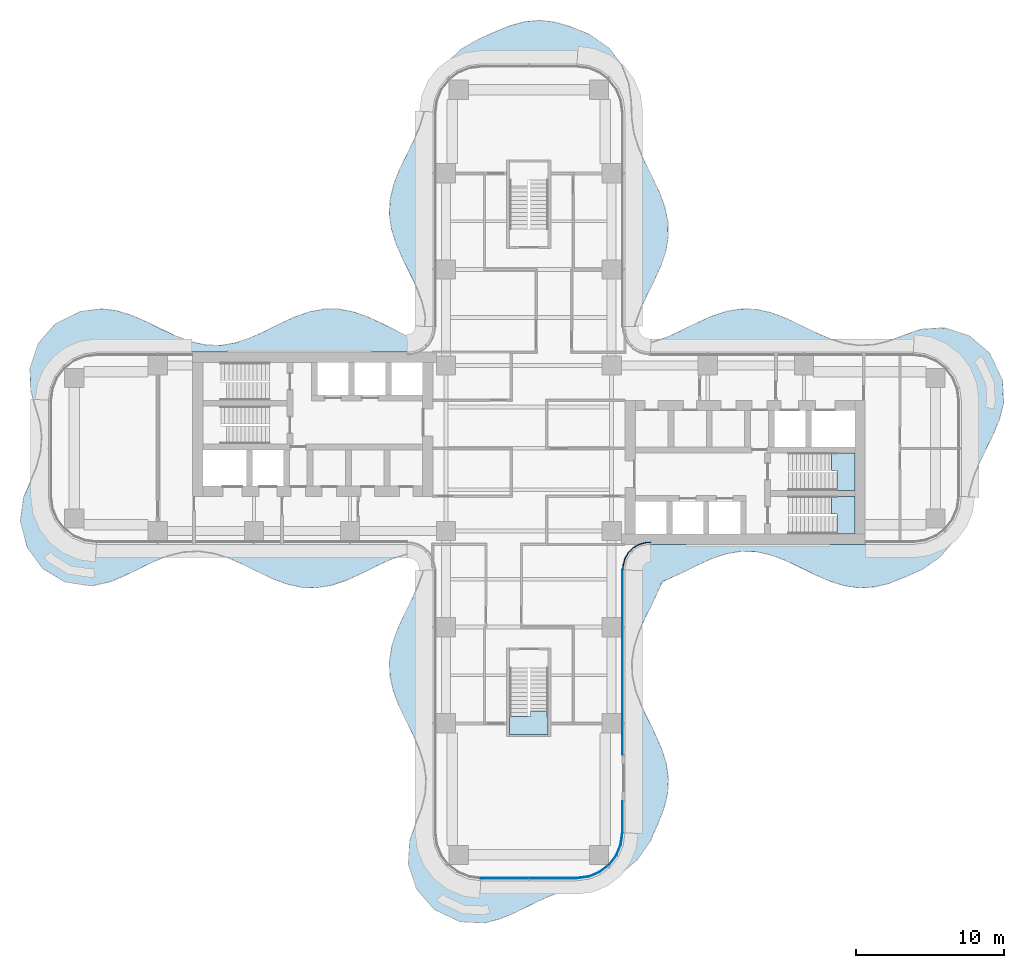
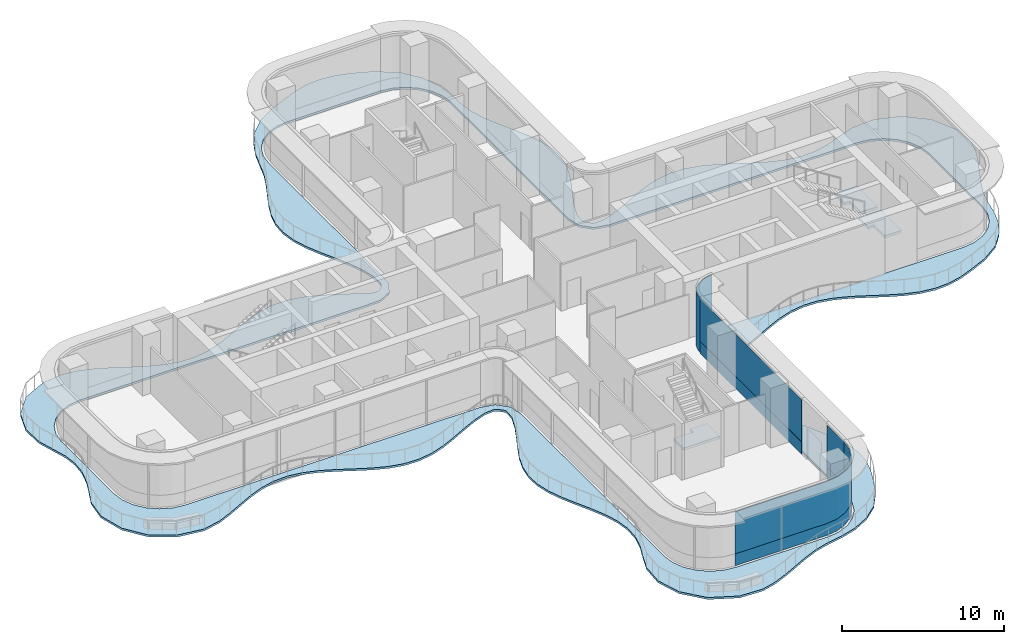
# One storey, part 14 of 21: 7 plates, 4 slabs, 7 elements without a shape of their own.
"""IFC4 building model written with IfcOpenShell, lengths in metres."""

from ifc_helpers import new_model, si_unit, direction, frame, origin, place, context, subcontext, project, spatial, polyline, outline, extrude, source, transform, mapped, material, layer, layer_set, type_object, element, aggregate, save


model = new_model("IFC4")

# Units and contexts
model_context = context("Model", 3, precision=1e-05, world=origin(), true_north=direction((0.0, 1.0)))
body_context = subcontext(model_context, "Body", "Model", "MODEL_VIEW")
ifc_project = project(units=[si_unit("LENGTHUNIT", "METRE"), si_unit("AREAUNIT", "SQUARE_METRE"), si_unit("VOLUMEUNIT", "CUBIC_METRE"), si_unit("PLANEANGLEUNIT", "RADIAN"), si_unit("MASSUNIT", "GRAM", prefix="KILO")], contexts=[model_context])

# Site, building, storey
site_placement = place(None, origin())
site = spatial("IfcSite", under=ifc_project, at=site_placement, CompositionType="ELEMENT")
building_placement = place(site_placement, origin())
building = spatial("IfcBuilding", under=site, at=building_placement, Name="Trellis Farm Tower", CompositionType="ELEMENT")
storey_placement = place(building_placement, frame((0.0, 0.0, 106.5)))
storey = spatial("IfcBuildingStorey", under=building, at=storey_placement, Name="L22", CompositionType="ELEMENT", Elevation=106.5)

# Slab
ifc_material_1 = material(Name="Concrete C40/50", Category="concrete")
ifc_layer_1 = layer(ifc_material_1, 0.14990234375)
ifc_layer_set_1 = layer_set([ifc_layer_1], Name="Balcony slab 150")
slab_type_1 = type_object("IfcSlabType", Name="Balcony slab 150", PredefinedType="FLOOR", material=ifc_layer_set_1)
slab_1_placement = place(storey_placement, frame((0.0, 0.0, -0.14990234375)))
element("IfcSlab", 1, at=slab_1_placement, inside=storey, type_object=slab_type_1, Name="Balcony slab", PredefinedType="FLOOR", context=body_context, shape_type="SweptSolid", body=[
    extrude(outline(polyline([(-22.3232421875, -6.959716796875), (-23.373291015625, -7.018310546875), (-23.38720703125, -7.0205078125), (-24.365478515625, -7.2626953125), (-24.375, -7.265869140625), (-25.3330078125, -7.642578125), (-25.338134765625, -7.64501953125), (-27.33837890625, -8.6162109375), (-27.34521484375, -8.619384765625), (-28.31689453125, -9.033203125), (-28.34375, -9.041748046875), (-29.543212890625, -9.3046875), (-29.5703125, -9.307861328125), (-29.605224609375, -9.30908203125), (-29.63232421875, -9.3076171875), (-31.331787109375, -9.0537109375), (-31.36083984375, -9.04638671875), (-31.3974609375, -9.033203125), (-31.424560546875, -9.02001953125), (-32.890625, -8.122314453125), (-32.914306640625, -8.1044921875), (-32.942626953125, -8.078125), (-32.96240234375, -8.055908203125), (-33.9140625, -6.732421875), (-33.927978515625, -6.70849609375), (-33.943115234375, -6.67626953125), (-33.952392578125, -6.650390625), (-34.389404296875, -4.9814453125), (-34.39404296875, -4.952880859375), (-34.396240234375, -4.916015625), (-34.395263671875, -4.886474609375), (-34.189208984375, -3.359375), (-34.17822265625, -3.319580078125), (-33.715087890625, -2.2548828125), (-33.714599609375, -2.25341796875), (-33.31396484375, -1.276611328125), (-33.310791015625, -1.267333984375), (-33.0341796875, -0.227783203125), (-33.031982421875, -0.21435546875), (-32.954833984375, 0.774169921875), (-32.955078125, 0.788330078125), (-33.058837890625, 1.709716796875), (-33.061279296875, 1.722412109375), (-33.6923828125, 3.866943359375), (-33.698486328125, 3.904296875), (-33.74755859375, 5.389404296875), (-33.74609375, 5.416015625), (-33.7412109375, 5.449462890625), (-33.735107421875, 5.47509765625), (-33.2236328125, 7.014892578125), (-33.211669921875, 7.041748046875), (-33.19287109375, 7.074951171875), (-33.17578125, 7.09912109375), (-32.039794921875, 8.408935546875), (-32.017333984375, 8.429931640625), (-31.986083984375, 8.453857421875), (-31.960205078125, 8.4697265625), (-30.33203125, 9.253662109375), (-30.285400390625, 9.267333984375), (-28.891357421875, 9.4404296875), (-28.85302734375, 9.440185546875), (-27.877685546875, 9.30908203125), (-27.852783203125, 9.3037109375), (-26.868408203125, 8.99658203125), (-26.852783203125, 8.99072265625), (-25.851806640625, 8.5517578125), (-25.845458984375, 8.548828125), (-24.850830078125, 8.056396484375), (-24.849609375, 8.055908203125), (-23.84326171875, 7.58154296875), (-23.83740234375, 7.5791015625), (-22.835205078125, 7.20654296875), (-22.82470703125, 7.20361328125), (-21.829345703125, 6.99169921875), (-21.8154296875, 6.989990234375), (-20.829833984375, 6.968505859375), (-20.8154296875, 6.969482421875), (-19.836181640625, 7.137451171875), (-19.824951171875, 7.140380859375), (-18.84521484375, 7.47119140625), (-18.83837890625, 7.47412109375), (-17.865478515625, 7.913818359375), (-17.863037109375, 7.914794921875), (-16.85888671875, 8.4130859375), (-16.855224609375, 8.4150390625), (-15.85888671875, 8.87548828125), (-15.845947265625, 8.880859375), (-14.858642578125, 9.23046875), (-14.83642578125, 9.236572265625), (-13.85888671875, 9.42236328125), (-13.83056640625, 9.425048828125), (-12.860107421875, 9.422119140625), (-12.831787109375, 9.419189453125), (-11.86181640625, 9.2294921875), (-11.840087890625, 9.2236328125), (-10.863037109375, 8.874755859375), (-10.8505859375, 8.86962890625), (-9.864501953125, 8.412841796875), (-9.860595703125, 8.4111328125), (-8.869140625, 7.918701171875), (-8.86572265625, 7.9169921875), (-8.122802734375, 7.52490234375), (-8.108642578125, 7.519287109375), (-7.98779296875, 7.484130859375), (-7.972900390625, 7.4814453125), (-7.62646484375, 7.453857421875), (-7.609130859375, 7.45458984375), (-7.4755859375, 7.47509765625), (-7.44384765625, 7.488037109375), (-7.333740234375, 7.56640625), (-7.32080078125, 7.578125), (-7.09130859375, 7.840576171875), (-7.07763671875, 7.86328125), (-7.000732421875, 8.066162109375), (-6.995849609375, 8.0927734375), (-6.99951171875, 8.885498046875), (-7.001220703125, 8.9013671875), (-7.2177734375, 9.873046875), (-7.220703125, 9.883056640625), (-7.5791015625, 10.83740234375), (-7.58154296875, 10.843017578125), (-8.055908203125, 11.849609375), (-8.056396484375, 11.850830078125), (-8.548828125, 12.845703125), (-8.5517578125, 12.851806640625), (-8.984130859375, 13.835205078125), (-8.989990234375, 13.850341796875), (-9.29736328125, 14.82470703125), (-9.302978515625, 14.849365234375), (-9.4423828125, 15.852294921875), (-9.443603515625, 15.8818359375), (-9.3857421875, 16.85107421875), (-9.3818359375, 16.8779296875), (-9.142822265625, 17.849609375), (-9.13671875, 17.86865234375), (-8.7509765625, 18.847900390625), (-8.74609375, 18.8583984375), (-7.784912109375, 20.835693359375), (-7.783447265625, 20.839111328125), (-7.364501953125, 21.822509765625), (-7.36181640625, 21.830078125), (-6.7138671875, 23.980712890625), (-6.706787109375, 23.99951171875), (-6.24560546875, 25.015869140625), (-6.2353515625, 25.034912109375), (-5.623291015625, 25.987548828125), (-5.601806640625, 26.013916015625), (-4.615478515625, 26.977783203125), (-4.584716796875, 27.001220703125), (-3.37548828125, 27.688232421875), (-3.362060546875, 27.695068359375), (-2.2548828125, 28.184814453125), (-2.2509765625, 28.186279296875), (-1.2705078125, 28.588623046875), (-1.252685546875, 28.5947265625), (-0.2802734375, 28.857421875), (-0.254150390625, 28.86181640625), (0.715087890625, 28.94677734375), (0.744384765625, 28.9462890625), (1.718017578125, 28.840087890625), (1.74365234375, 28.835205078125), (2.745849609375, 28.544189453125), (2.760009765625, 28.539306640625), (4.017333984375, 28.032958984375), (4.046142578125, 28.017578125), (5.37060546875, 27.110595703125), (5.405029296875, 27.078125), (6.2705078125, 25.948974609375), (6.291748046875, 25.910400390625), (6.759033203125, 24.667724609375), (6.767578125, 24.634521484375), (6.9248046875, 23.438232421875), (6.926025390625, 23.4228515625), (6.957275390625, 22.33447265625), (6.9580078125, 22.325927734375), (7.102294921875, 21.3291015625), (7.10498046875, 21.317138671875), (7.415283203125, 20.337890625), (7.418212890625, 20.330078125), (7.8505859375, 19.3466796875), (7.85205078125, 19.343505859375), (8.342529296875, 18.352783203125), (8.34375, 18.350341796875), (8.814453125, 17.352783203125), (8.8193359375, 17.34130859375), (9.188720703125, 16.3525390625), (9.19482421875, 16.331787109375), (9.406494140625, 15.352783203125), (9.409912109375, 15.32470703125), (9.43408203125, 14.35400390625), (9.43212890625, 14.3251953125), (9.26806640625, 13.35546875), (9.26220703125, 13.33251953125), (8.93359375, 12.356689453125), (8.927978515625, 12.343017578125), (8.485595703125, 11.364013671875), (8.483154296875, 11.35888671875), (7.989501953125, 10.364501953125), (7.988525390625, 10.362548828125), (7.531982421875, 9.376708984375), (7.529541015625, 9.370849609375), (7.1875, 8.427490234375), (7.1845703125, 8.416748046875), (7.16650390625, 8.32666015625), (7.1650390625, 8.315673828125), (7.13720703125, 7.7666015625), (7.137939453125, 7.7509765625), (7.1572265625, 7.630859375), (7.168212890625, 7.60205078125), (7.234619140625, 7.5), (7.244384765625, 7.488037109375), (7.488037109375, 7.244384765625), (7.5, 7.234619140625), (7.60205078125, 7.168212890625), (7.630859375, 7.1572265625), (7.7509765625, 7.137939453125), (7.7666015625, 7.13720703125), (8.315673828125, 7.1650390625), (8.32666015625, 7.16650390625), (8.416748046875, 7.1845703125), (8.427490234375, 7.1875), (9.370849609375, 7.529541015625), (9.376708984375, 7.531982421875), (10.362548828125, 7.988525390625), (10.364501953125, 7.989501953125), (11.35888671875, 8.483154296875), (11.364013671875, 8.485595703125), (12.359130859375, 8.934326171875), (12.373291015625, 8.93994140625), (13.359130859375, 9.268798828125), (13.382568359375, 9.274658203125), (14.358642578125, 9.434326171875), (14.3876953125, 9.436279296875), (15.357421875, 9.406005859375), (15.385009765625, 9.40234375), (16.35595703125, 9.187744140625), (16.376220703125, 9.181640625), (17.3544921875, 8.813720703125), (17.36572265625, 8.80908203125), (18.353271484375, 8.34228515625), (18.355712890625, 8.34130859375), (19.343505859375, 7.852294921875), (19.3466796875, 7.8505859375), (20.365966796875, 7.404541015625), (20.37353515625, 7.40185546875), (21.317138671875, 7.10498046875), (21.328857421875, 7.102294921875), (22.30859375, 6.96044921875), (22.322998046875, 6.959716796875), (23.31005859375, 7.009033203125), (23.32373046875, 7.010986328125), (24.3203125, 7.24853515625), (24.330078125, 7.251708984375), (25.348388671875, 7.648681640625), (25.353515625, 7.650390625), (26.513916015625, 8.0546875), (26.553955078125, 8.062744140625), (28.065673828125, 8.15478515625), (28.093994140625, 8.15380859375), (28.129150390625, 8.1494140625), (28.15625, 8.143310546875), (29.727294921875, 7.635498046875), (29.754638671875, 7.62353515625), (29.7880859375, 7.604736328125), (29.8125, 7.587646484375), (31.170166015625, 6.419921875), (31.19189453125, 6.39697265625), (31.21630859375, 6.364501953125), (31.23291015625, 6.33740234375), (32.01220703125, 4.670166015625), (32.021728515625, 4.642822265625), (32.031005859375, 4.6064453125), (32.03515625, 4.577880859375), (32.112060546875, 3.07666015625), (32.10791015625, 3.0322265625), (31.85205078125, 2.02001953125), (31.845458984375, 2.0), (31.43603515625, 0.998779296875), (31.431884765625, 0.98974609375), (30.469482421875, -0.987060546875), (30.46728515625, -0.991455078125), (30.06396484375, -1.973388671875), (30.060791015625, -1.982177734375), (29.789794921875, -2.985595703125), (29.788330078125, -2.991943359375), (29.59130859375, -4.088623046875), (29.58740234375, -4.1044921875), (29.26220703125, -5.20703125), (29.25146484375, -5.23388671875), (28.68359375, -6.3251953125), (28.664794921875, -6.35302734375), (27.818603515625, -7.348388671875), (27.78955078125, -7.374755859375), (26.599853515625, -8.19384765625), (26.575439453125, -8.20751953125), (25.353759765625, -8.748779296875), (25.34765625, -8.751220703125), (24.346435546875, -9.143798828125), (24.326904296875, -9.14990234375), (23.346435546875, -9.386474609375), (23.3193359375, -9.390380859375), (22.347412109375, -9.4423828125), (22.318359375, -9.44091796875), (21.34912109375, -9.302978515625), (21.3251953125, -9.297607421875), (20.368408203125, -8.99658203125), (20.35302734375, -8.990966796875), (19.351806640625, -8.5517578125), (19.345458984375, -8.548828125), (18.3564453125, -8.05908203125), (18.355224609375, -8.05859375), (17.36962890625, -7.5927734375), (17.364013671875, -7.59033203125), (16.383056640625, -7.220703125), (16.372802734375, -7.2177734375), (15.394287109375, -6.99951171875), (15.380615234375, -6.997802734375), (14.3974609375, -6.9638671875), (14.383056640625, -6.96484375), (13.390380859375, -7.1240234375), (13.378662109375, -7.126953125), (12.3779296875, -7.45849609375), (12.370849609375, -7.461181640625), (11.365478515625, -7.913818359375), (11.363037109375, -7.914794921875), (10.35888671875, -8.413330078125), (10.355224609375, -8.4150390625), (9.370849609375, -8.870849609375), (9.36083984375, -8.875), (9.164306640625, -8.94921875), (9.150146484375, -8.956298828125), (9.045654296875, -9.0234375), (9.0234375, -9.045654296875), (8.956298828125, -9.150146484375), (8.94921875, -9.164306640625), (8.875, -9.36083984375), (8.870849609375, -9.370849609375), (8.4150390625, -10.355224609375), (8.413330078125, -10.35888671875), (7.914794921875, -11.363037109375), (7.913818359375, -11.365478515625), (7.461181640625, -12.370849609375), (7.45849609375, -12.3779296875), (7.126953125, -13.378662109375), (7.1240234375, -13.390380859375), (6.96484375, -14.383056640625), (6.9638671875, -14.3974609375), (6.997802734375, -15.380615234375), (6.99951171875, -15.394287109375), (7.2177734375, -16.372802734375), (7.220703125, -16.383056640625), (7.59033203125, -17.364013671875), (7.5927734375, -17.36962890625), (8.05859375, -18.355224609375), (8.05908203125, -18.3564453125), (8.548828125, -19.345458984375), (8.5517578125, -19.351806640625), (8.990966796875, -20.35302734375), (8.99658203125, -20.368408203125), (9.297607421875, -21.3251953125), (9.302978515625, -21.34912109375), (9.44091796875, -22.318359375), (9.4423828125, -22.347412109375), (9.390380859375, -23.3193359375), (9.386474609375, -23.346435546875), (9.14990234375, -24.326904296875), (9.143798828125, -24.346435546875), (8.751220703125, -25.347900390625), (8.748779296875, -25.353515625), (8.22314453125, -26.54736328125), (8.20947265625, -26.57177734375), (7.374755859375, -27.789306640625), (7.34814453125, -27.81884765625), (6.35302734375, -28.664794921875), (6.3251953125, -28.68359375), (5.23388671875, -29.25146484375), (5.20703125, -29.26220703125), (4.1044921875, -29.58740234375), (4.088623046875, -29.59130859375), (2.991943359375, -29.788330078125), (2.985595703125, -29.789794921875), (1.982177734375, -30.060791015625), (1.973388671875, -30.06396484375), (0.9912109375, -30.46728515625), (0.987060546875, -30.46923828125), (-1.0, -31.4365234375), (-1.0087890625, -31.4404296875), (-1.978515625, -31.838134765625), (-1.997314453125, -31.844482421875), (-2.979248046875, -32.10205078125), (-3.0244140625, -32.106689453125), (-4.57763671875, -32.03515625), (-4.60693359375, -32.03076171875), (-4.642822265625, -32.021728515625), (-4.670166015625, -32.01220703125), (-6.33740234375, -31.23291015625), (-6.364501953125, -31.21630859375), (-6.39697265625, -31.19189453125), (-6.419921875, -31.170166015625), (-7.587646484375, -29.8125), (-7.604736328125, -29.7880859375), (-7.62353515625, -29.754638671875), (-7.635498046875, -29.727294921875), (-8.143310546875, -28.15625), (-8.1494140625, -28.129150390625), (-8.15380859375, -28.093994140625), (-8.15478515625, -28.065673828125), (-8.062744140625, -26.553955078125), (-8.0546875, -26.513916015625), (-7.650390625, -25.353515625), (-7.648681640625, -25.348388671875), (-7.251708984375, -24.330078125), (-7.24853515625, -24.3203125), (-7.010986328125, -23.32373046875), (-7.009033203125, -23.31005859375), (-6.959716796875, -22.322998046875), (-6.96044921875, -22.30859375), (-7.102294921875, -21.328857421875), (-7.10498046875, -21.317138671875), (-7.40185546875, -20.37353515625), (-7.404541015625, -20.365966796875), (-7.8505859375, -19.3466796875), (-7.852294921875, -19.343505859375), (-8.34130859375, -18.355712890625), (-8.34228515625, -18.353271484375), (-8.80908203125, -17.36572265625), (-8.813720703125, -17.3544921875), (-9.181640625, -16.376220703125), (-9.187744140625, -16.35595703125), (-9.40234375, -15.385009765625), (-9.406005859375, -15.357421875), (-9.436279296875, -14.3876953125), (-9.434326171875, -14.358642578125), (-9.274658203125, -13.382568359375), (-9.268798828125, -13.359130859375), (-8.93994140625, -12.373291015625), (-8.934326171875, -12.359130859375), (-8.485595703125, -11.364013671875), (-8.483154296875, -11.35888671875), (-7.989501953125, -10.364501953125), (-7.988525390625, -10.362548828125), (-7.531982421875, -9.376708984375), (-7.529541015625, -9.370849609375), (-7.1875, -8.427490234375), (-7.1845703125, -8.416748046875), (-7.16650390625, -8.32666015625), (-7.1650390625, -8.315673828125), (-7.13720703125, -7.7666015625), (-7.137939453125, -7.7509765625), (-7.1572265625, -7.630859375), (-7.168212890625, -7.60205078125), (-7.234619140625, -7.5), (-7.244384765625, -7.488037109375), (-7.488037109375, -7.244384765625), (-7.5, -7.234619140625), (-7.60205078125, -7.168212890625), (-7.630859375, -7.1572265625), (-7.7509765625, -7.137939453125), (-7.7666015625, -7.13720703125), (-8.315673828125, -7.1650390625), (-8.32666015625, -7.16650390625), (-8.416748046875, -7.1845703125), (-8.427490234375, -7.1875), (-9.370849609375, -7.529541015625), (-9.376708984375, -7.531982421875), (-10.362548828125, -7.988525390625), (-10.364501953125, -7.989501953125), (-11.35888671875, -8.483154296875), (-11.364013671875, -8.485595703125), (-12.359130859375, -8.934326171875), (-12.373291015625, -8.93994140625), (-13.359130859375, -9.268798828125), (-13.382568359375, -9.274658203125), (-14.358642578125, -9.434326171875), (-14.3876953125, -9.436279296875), (-15.357421875, -9.406005859375), (-15.385009765625, -9.40234375), (-16.35595703125, -9.187744140625), (-16.376220703125, -9.181640625), (-17.3544921875, -8.813720703125), (-17.36572265625, -8.80908203125), (-18.353271484375, -8.34228515625), (-18.355712890625, -8.34130859375), (-19.343505859375, -7.85205078125), (-19.3466796875, -7.8505859375), (-20.330078125, -7.418212890625), (-20.337890625, -7.415283203125), (-21.317138671875, -7.10498046875), (-21.3291015625, -7.102294921875), (-22.308349609375, -6.96044921875), (-22.3232421875, -6.959716796875)]), holes=[polyline([(-8.364013671875, -6.503173828125), (-7.466552734375, -6.687255859375), (-7.42529296875, -6.702392578125), (-7.3779296875, -6.727783203125), (-7.34326171875, -6.75390625), (-6.75390625, -7.34326171875), (-6.727783203125, -7.3779296875), (-6.702392578125, -7.42529296875), (-6.687255859375, -7.466552734375), (-6.503173828125, -8.364013671875), (-6.50048828125, -8.38818359375), (-6.50048828125, -26.0), (-6.389892578125, -26.84130859375), (-6.065185546875, -27.625244140625), (-5.548583984375, -28.298583984375), (-4.875244140625, -28.815185546875), (-4.09130859375, -29.139892578125), (-3.25, -29.25048828125), (3.25, -29.25048828125), (4.09130859375, -29.139892578125), (4.875244140625, -28.815185546875), (5.548583984375, -28.298583984375), (6.065185546875, -27.625244140625), (6.389892578125, -26.84130859375), (6.50048828125, -26.0), (6.50048828125, -8.38818359375), (6.503173828125, -8.364013671875), (6.687255859375, -7.466552734375), (6.702392578125, -7.42529296875), (6.727783203125, -7.3779296875), (6.75390625, -7.34326171875), (7.34326171875, -6.75390625), (7.3779296875, -6.727783203125), (7.42529296875, -6.702392578125), (7.466552734375, -6.687255859375), (8.364013671875, -6.503173828125), (8.38818359375, -6.50048828125), (26.0, -6.50048828125), (26.84130859375, -6.389892578125), (27.625244140625, -6.065185546875), (28.298583984375, -5.548583984375), (28.815185546875, -4.875244140625), (29.139892578125, -4.09130859375), (29.25048828125, -3.25), (29.25048828125, 3.25), (29.139892578125, 4.09130859375), (28.815185546875, 4.875244140625), (28.298583984375, 5.548583984375), (27.625244140625, 6.065185546875), (26.84130859375, 6.389892578125), (26.0, 6.50048828125), (8.38818359375, 6.50048828125), (8.364013671875, 6.503173828125), (7.466552734375, 6.687255859375), (7.42529296875, 6.702392578125), (7.3779296875, 6.727783203125), (7.34326171875, 6.75390625), (6.75390625, 7.34326171875), (6.727783203125, 7.3779296875), (6.702392578125, 7.42529296875), (6.687255859375, 7.466552734375), (6.503173828125, 8.364013671875), (6.50048828125, 8.38818359375), (6.50048828125, 22.75), (6.389892578125, 23.59130859375), (6.065185546875, 24.375244140625), (5.548583984375, 25.048583984375), (4.875244140625, 25.565185546875), (4.09130859375, 25.889892578125), (3.25, 26.00048828125), (-3.25, 26.00048828125), (-4.09130859375, 25.889892578125), (-4.875244140625, 25.565185546875), (-5.548583984375, 25.048583984375), (-6.065185546875, 24.375244140625), (-6.389892578125, 23.59130859375), (-6.50048828125, 22.75), (-6.50048828125, 8.844970703125), (-6.540283203125, 7.914794921875), (-6.54541015625, 7.882080078125), (-6.556396484375, 7.84130859375), (-6.568359375, 7.810302734375), (-6.963623046875, 7.059814453125), (-6.990478515625, 7.023193359375), (-7.030517578125, 6.9833984375), (-7.067138671875, 6.956787109375), (-7.8203125, 6.5654296875), (-7.85107421875, 6.553466796875), (-7.891845703125, 6.542724609375), (-7.92431640625, 6.537841796875), (-8.85400390625, 6.50048828125), (-29.25, 6.50048828125), (-30.09130859375, 6.389892578125), (-30.875244140625, 6.065185546875), (-31.548583984375, 5.548583984375), (-32.065185546875, 4.875244140625), (-32.389892578125, 4.09130859375), (-32.50048828125, 3.25), (-32.50048828125, -3.25), (-32.389892578125, -4.09130859375), (-32.065185546875, -4.875244140625), (-31.548583984375, -5.548583984375), (-30.875244140625, -6.065185546875), (-30.09130859375, -6.389892578125), (-29.25, -6.50048828125), (-8.38818359375, -6.50048828125), (-8.364013671875, -6.503173828125)])]), origin(), (0.0, 0.0, 1.0), 0.14990234375),
])

# Stair, slab
ifc_material_2 = material(Name="Concrete C50/60", Category="concrete")
stair_type = type_object("IfcStairType", Name="CORE EXIT STAIR 26 RISERS 173 MM", PredefinedType="HALF_TURN_STAIR", material=ifc_material_2)
placement_1 = place(storey_placement, origin())
stair_1 = element("IfcStair", 2, at=placement_1, inside=storey, type_object=stair_type, Name="Exit stair S", PredefinedType="HALF_TURN_STAIR")
ifc_layer_2 = layer(ifc_material_2, 0.18994140625)
ifc_layer_set_2 = layer_set([ifc_layer_2], Name="CORE STAIR LANDING 190 CONCRETE C50/60")
slab_type_2 = type_object("IfcSlabType", Name="CORE STAIR LANDING 190 CONCRETE C50/60", PredefinedType="LANDING", material=ifc_layer_set_2)
shared_shape_1 = source(origin(), body_context, "Body", "SweptSolid", [
    extrude(outline(polyline([(1.300048828125, -19.35009765625), (-1.300048828125, -19.35009765625), (-1.300048828125, -18.14990234375), (-1.300048828125, -18.139892578125), (-0.10009765625, -18.139892578125), (-0.10009765625, -18.14990234375), (0.10009765625, -18.14990234375), (0.10009765625, -17.753173828125), (1.300048828125, -17.753173828125), (1.300048828125, -18.14990234375), (1.300048828125, -19.35009765625)])), origin(), (0.0, 0.0, 1.0), 0.18994140625),
])
placement_2 = place(storey_placement, frame((0.0, 0.0, 2.06005859375)))
slab_2 = element("IfcSlab", 3, at=placement_2, type_object=slab_type_2, Name="STS landing 1", PredefinedType="LANDING", context=body_context, shape_type="MappedRepresentation", body=[
    mapped(shared_shape_1, transform((0.0, 0.0, 0.0))),
])
aggregate(stair_1, [slab_2])

stair_2 = element("IfcStair", 4, at=placement_1, inside=storey, type_object=stair_type, Name="Exit stair E1", PredefinedType="HALF_TURN_STAIR")
shared_shape_2 = source(origin(), body_context, "Body", "SweptSolid", [
    extrude(outline(polyline([(20.840087890625, -5.800048828125), (20.840087890625, -4.60009765625), (20.85009765625, -4.60009765625), (20.85009765625, -4.449951171875), (20.453125, -4.449951171875), (20.453125, -3.25), (20.85009765625, -3.25), (22.050048828125, -3.25), (22.050048828125, -5.800048828125), (20.85009765625, -5.800048828125), (20.840087890625, -5.800048828125)])), origin(), (0.0, 0.0, 1.0), 0.18994140625),
])
slab_3 = element("IfcSlab", 5, at=placement_2, type_object=slab_type_2, Name="STE1 landing 1", PredefinedType="LANDING", context=body_context, shape_type="MappedRepresentation", body=[
    mapped(shared_shape_2, transform((0.0, 0.0, 0.0))),
])
aggregate(stair_2, [slab_3])

stair_3 = element("IfcStair", 6, at=placement_1, inside=storey, type_object=stair_type, Name="Exit stair E2", PredefinedType="HALF_TURN_STAIR")
shared_shape_3 = source(origin(), body_context, "Body", "SweptSolid", [
    extrude(outline(polyline([(20.840087890625, -2.85009765625), (20.840087890625, -1.64990234375), (20.85009765625, -1.64990234375), (20.85009765625, -1.5), (20.453125, -1.5), (20.453125, -0.300048828125), (20.85009765625, -0.300048828125), (22.050048828125, -0.300048828125), (22.050048828125, -2.85009765625), (20.85009765625, -2.85009765625), (20.840087890625, -2.85009765625)])), origin(), (0.0, 0.0, 1.0), 0.18994140625),
])
slab_4 = element("IfcSlab", 7, at=placement_2, type_object=slab_type_2, Name="STE2 landing 1", PredefinedType="LANDING", context=body_context, shape_type="MappedRepresentation", body=[
    mapped(shared_shape_3, transform((0.0, 0.0, 0.0))),
])
aggregate(stair_3, [slab_4])

# Curtain wall, plates
ifc_material_3 = material(Name="Aluminium and glass curtain wall", Category="aluminium")
ifc_layer_3 = layer(ifc_material_3, 0.18994140625)
ifc_layer_set_3 = layer_set([ifc_layer_3], Name="RIBBON CURTAIN WALL CW1")
curtain_wall_type_1 = type_object("IfcCurtainWallType", Name="RIBBON CURTAIN WALL CW1", PredefinedType="NOTDEFINED", material=ifc_layer_set_3)
curtain_wall_1 = element("IfcCurtainWall", 8, at=placement_1, inside=storey, type_object=curtain_wall_type_1, Name="CW1 003", PredefinedType="NOTDEFINED")
ifc_material_4 = material(Name="Clear insulated glass", Category="glass")
ifc_layer_4 = layer(ifc_material_4, 0.0400390625)
ifc_layer_set_4 = layer_set([ifc_layer_4], Name="CW1 GLASS PANEL 40")
plate_type_1 = type_object("IfcPlateType", Name="CW1 GLASS PANEL 40", PredefinedType="CURTAIN_PANEL", material=ifc_layer_set_4)
shared_shape_4 = source(origin(), body_context, "Body", "SweptSolid", [
    extrude(outline(polyline([(-3.240234375, -29.10009765625), (3.240234375, -29.10009765625), (4.052001953125, -28.9931640625), (4.79931640625, -28.68359375), (5.441162109375, -28.191162109375), (5.93359375, -27.54931640625), (6.2431640625, -26.802001953125), (6.35009765625, -25.990234375), (6.31005859375, -25.987548828125), (6.2041015625, -26.79150390625), (5.898681640625, -27.529296875), (5.41259765625, -28.16259765625), (4.779296875, -28.648681640625), (4.04150390625, -28.9541015625), (3.237548828125, -29.06005859375), (-3.237548828125, -29.06005859375), (-3.240234375, -29.10009765625)])), origin(), (0.0, 0.0, 1.0), 3.170166015625),
])
placement_3 = place(storey_placement, frame((0.0, 0.0, 0.89990234375)))
plate_1 = element("IfcPlate", 9, at=placement_3, type_object=plate_type_1, Name="PL1 003", PredefinedType="CURTAIN_PANEL", context=body_context, shape_type="MappedRepresentation", body=[
    mapped(shared_shape_4, transform((0.0, 0.0, 0.0))),
])
ifc_material_5 = material(Name="Sandstone faced insulated panel", Category="masonry")
ifc_layer_5 = layer(ifc_material_5, 0.050048828125)
ifc_layer_set_5 = layer_set([ifc_layer_5], Name="CW1 STONE SPANDREL PANEL 50")
plate_type_2 = type_object("IfcPlateType", Name="CW1 STONE SPANDREL PANEL 50", PredefinedType="CURTAIN_PANEL", material=ifc_layer_set_5)
shared_shape_5 = source(origin(), body_context, "Body", "SweptSolid", [
    extrude(outline(polyline([(-3.240234375, -29.10009765625), (3.240234375, -29.10009765625), (4.052001953125, -28.9931640625), (4.79931640625, -28.68359375), (5.441162109375, -28.191162109375), (5.93359375, -27.54931640625), (6.2431640625, -26.802001953125), (6.35009765625, -25.990234375), (6.300048828125, -25.98681640625), (6.1943359375, -26.7890625), (5.889892578125, -27.524169921875), (5.405517578125, -28.155517578125), (4.774169921875, -28.639892578125), (4.0390625, -28.9443359375), (3.23681640625, -29.050048828125), (-3.23681640625, -29.050048828125), (-3.240234375, -29.10009765625)])), origin(), (0.0, 0.0, 1.0), 0.89990234375),
])
plate_2 = element("IfcPlate", 10, at=placement_1, type_object=plate_type_2, Name="PS1 003", PredefinedType="CURTAIN_PANEL", context=body_context, shape_type="MappedRepresentation", body=[
    mapped(shared_shape_5, transform((0.0, 0.0, 0.0))),
])
aggregate(curtain_wall_1, [plate_1, plate_2])

# Curtain wall, plate
ifc_layer_6 = layer(ifc_material_3, 0.166015625)
ifc_layer_set_6 = layer_set([ifc_layer_6], Name="WINTER GARDEN CURTAIN WALL CW3")
curtain_wall_type_2 = type_object("IfcCurtainWallType", Name="WINTER GARDEN CURTAIN WALL CW3", PredefinedType="NOTDEFINED", material=ifc_layer_set_6)
curtain_wall_2 = element("IfcCurtainWall", 11, at=placement_1, inside=storey, type_object=curtain_wall_type_2, Name="CW3 002", PredefinedType="NOTDEFINED")
ifc_layer_7 = layer(ifc_material_4, 0.0458984375)
ifc_layer_set_7 = layer_set([ifc_layer_7], Name="CW3 GLASS PANEL 46")
plate_type_3 = type_object("IfcPlateType", Name="CW3 GLASS PANEL 46", PredefinedType="CURTAIN_PANEL", material=ifc_layer_set_7)
shared_shape_6 = source(origin(), body_context, "Body", "SweptSolid", [
    extrude(outline(polyline([(6.3798828125, -8.2275390625), (6.394287109375, -8.0078125), (6.40966796875, -7.89208984375), (6.52490234375, -7.462158203125), (6.7509765625, -7.070556640625), (7.070556640625, -6.7509765625), (7.462158203125, -6.52490234375), (7.89208984375, -6.40966796875), (8.0078125, -6.394287109375), (8.2275390625, -6.3798828125), (8.22607421875, -6.333984375), (8.003173828125, -6.3486328125), (7.883056640625, -6.364501953125), (7.4443359375, -6.48193359375), (7.04248046875, -6.714111328125), (6.714111328125, -7.04248046875), (6.48193359375, -7.4443359375), (6.364501953125, -7.883056640625), (6.3486328125, -8.003173828125), (6.333984375, -8.22607421875), (6.3798828125, -8.2275390625)])), origin(), (0.0, 0.0, 1.0), 4.10009765625),
])
plate_3 = element("IfcPlate", 12, at=placement_1, type_object=plate_type_3, Name="PL3 002", PredefinedType="CURTAIN_PANEL", context=body_context, shape_type="MappedRepresentation", body=[
    mapped(shared_shape_6, transform((0.0, 0.0, 0.0))),
])
aggregate(curtain_wall_2, [plate_3])

# Curtain wall, plates
curtain_wall_3 = element("IfcCurtainWall", 13, at=placement_1, inside=storey, type_object=curtain_wall_type_1, Name="CW1 004", PredefinedType="NOTDEFINED")
shared_shape_7 = source(origin(), body_context, "Body", "SweptSolid", [
    extrude(outline(polyline([(6.35009765625, -25.990234375), (6.35009765625, -23.860107421875), (6.31005859375, -23.860107421875), (6.31005859375, -25.987548828125), (6.35009765625, -25.990234375)])), origin(), (0.0, 0.0, 1.0), 3.170166015625),
])
plate_4 = element("IfcPlate", 14, at=placement_3, type_object=plate_type_1, Name="PL1 004", PredefinedType="CURTAIN_PANEL", context=body_context, shape_type="MappedRepresentation", body=[
    mapped(shared_shape_7, transform((0.0, 0.0, 0.0))),
])
shared_shape_8 = source(origin(), body_context, "Body", "SweptSolid", [
    extrude(outline(polyline([(6.35009765625, -25.990234375), (6.35009765625, -23.860107421875), (6.300048828125, -23.860107421875), (6.300048828125, -25.98681640625), (6.35009765625, -25.990234375)])), origin(), (0.0, 0.0, 1.0), 0.89990234375),
])
plate_5 = element("IfcPlate", 15, at=placement_1, type_object=plate_type_2, Name="PS1 004", PredefinedType="CURTAIN_PANEL", context=body_context, shape_type="MappedRepresentation", body=[
    mapped(shared_shape_8, transform((0.0, 0.0, 0.0))),
])
aggregate(curtain_wall_3, [plate_4, plate_5])

curtain_wall_4 = element("IfcCurtainWall", 16, at=placement_1, inside=storey, type_object=curtain_wall_type_1, Name="CW1 005", PredefinedType="NOTDEFINED")
shared_shape_9 = source(origin(), body_context, "Body", "SweptSolid", [
    extrude(outline(polyline([(6.35009765625, -20.739990234375), (6.35009765625, -8.2265625), (6.31005859375, -8.22509765625), (6.31005859375, -20.739990234375), (6.35009765625, -20.739990234375)])), origin(), (0.0, 0.0, 1.0), 3.170166015625),
])
plate_6 = element("IfcPlate", 17, at=placement_3, type_object=plate_type_1, Name="PL1 005", PredefinedType="CURTAIN_PANEL", context=body_context, shape_type="MappedRepresentation", body=[
    mapped(shared_shape_9, transform((0.0, 0.0, 0.0))),
])
shared_shape_10 = source(origin(), body_context, "Body", "SweptSolid", [
    extrude(outline(polyline([(6.35009765625, -20.739990234375), (6.35009765625, -8.2265625), (6.300048828125, -8.224853515625), (6.300048828125, -20.739990234375), (6.35009765625, -20.739990234375)])), origin(), (0.0, 0.0, 1.0), 0.89990234375),
])
plate_7 = element("IfcPlate", 18, at=placement_1, type_object=plate_type_2, Name="PS1 005", PredefinedType="CURTAIN_PANEL", context=body_context, shape_type="MappedRepresentation", body=[
    mapped(shared_shape_10, transform((0.0, 0.0, 0.0))),
])
aggregate(curtain_wall_4, [plate_6, plate_7])

save(model, "model.ifc")
